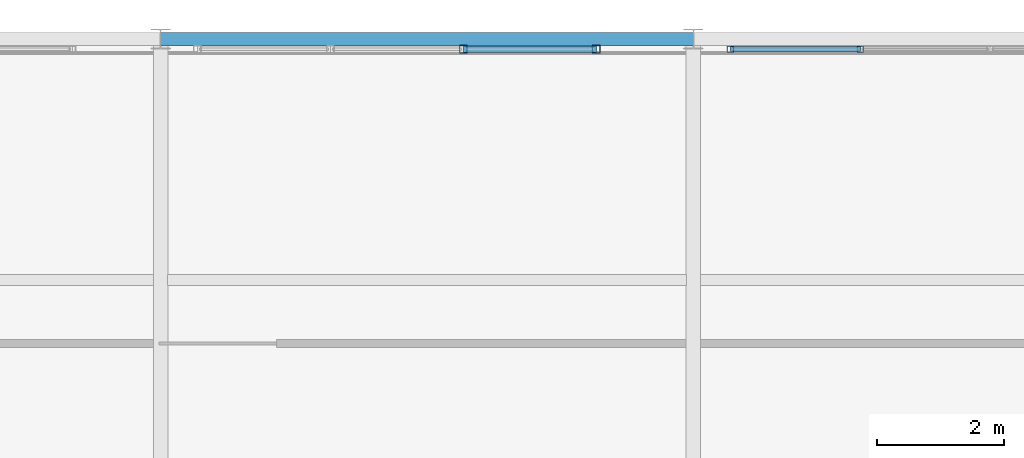
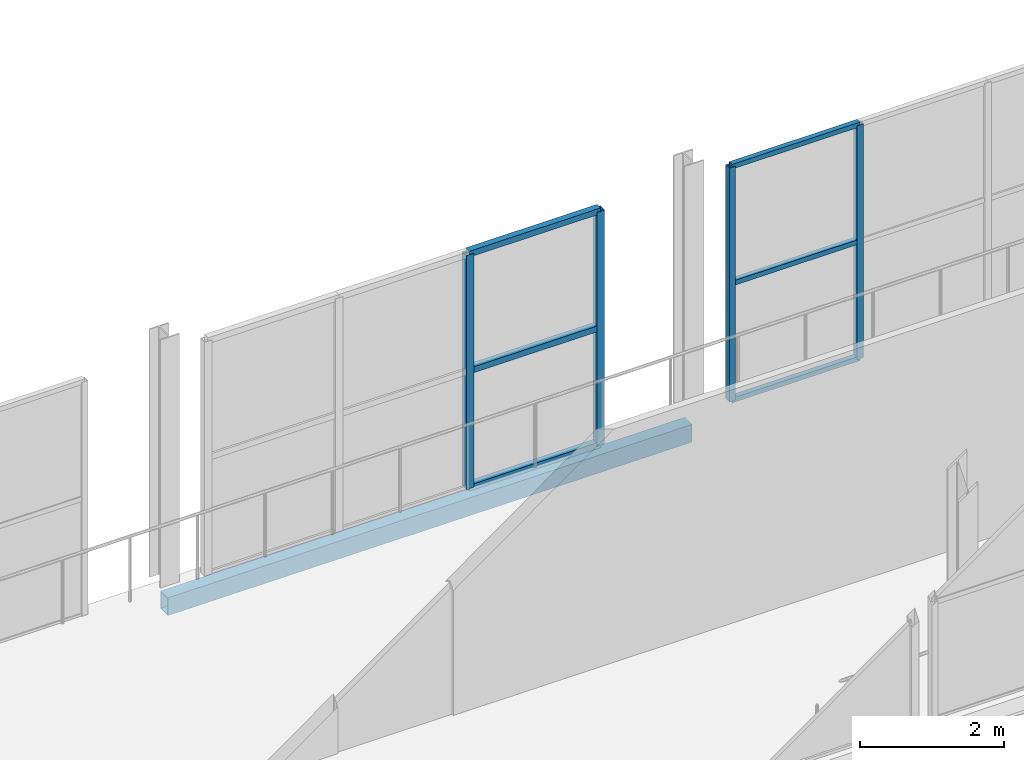
# One storey, part 81 of 151: 10 members, 1 beam, 2 elements without a shape of their own.
"""IFC4 building model written with IfcOpenShell, lengths in metres."""

from ifc_helpers import new_model, si_unit, direction, frame, origin, origin_2d, place, context, subcontext, project, spatial, hollow_rectangle, extrude, material, material_profile, profile_set, type_object, element, aggregate, save


model = new_model("IFC4")

# Units and contexts
model_context = context("Model", 3, precision=1e-05, world=origin(), true_north=direction((0.0, 1.0)))
body_context = subcontext(model_context, "Body", "Model", "MODEL_VIEW")
ifc_project = project(units=[si_unit("LENGTHUNIT", "METRE"), si_unit("AREAUNIT", "SQUARE_METRE"), si_unit("VOLUMEUNIT", "CUBIC_METRE"), si_unit("PLANEANGLEUNIT", "RADIAN"), si_unit("MASSUNIT", "GRAM", prefix="KILO")], contexts=[model_context])

# Site, building, storey
site_placement = place(None, origin())
site = spatial("IfcSite", under=ifc_project, at=site_placement, CompositionType="ELEMENT")
building_placement = place(site_placement, origin())
building = spatial("IfcBuilding", under=site, at=building_placement, Name="Zuvorla Pavilion Media Centre", CompositionType="ELEMENT")
storey_placement = place(building_placement, frame((0.0, 0.0, 13.800048828125)))
storey = spatial("IfcBuildingStorey", under=building, at=storey_placement, Name="L03", CompositionType="ELEMENT", Elevation=13.800048828125)

# Beam
ifc_material_1 = material(Name="Steel S355", Category="steel")
ifc_material_profile_1 = material_profile(ifc_material_1, hollow_rectangle(XDim=0.199951171875, YDim=0.300048828125, WallThickness=0.012451171875, at=origin_2d()), Name="RHS 300x200x12.5")
ifc_profile_set_1 = profile_set([ifc_material_profile_1], Name="Steel S355")
beam_type = type_object("IfcBeamType", Name="BM-SP-RHS300", PredefinedType="SPANDREL", material=ifc_profile_set_1)
beam_placement = place(storey_placement, frame((125.60009765625, 89.60009765625, -0.407958984375), z_axis=(1.0, 0.0, 0.0), x_axis=(0.0, 1.0, 0.0)))
element("IfcBeam", 1, at=beam_placement, inside=storey, type_object=beam_type, Name="L03 spandrel SP01 1143", PredefinedType="SPANDREL", context=body_context, shape_type="SweptSolid", body=[
    extrude(hollow_rectangle(XDim=0.199951171875, YDim=0.300048828125, WallThickness=0.012451171875, at=origin_2d()), origin(), (0.0, 0.0, 1.0), 8.39990234375),
])

# Curtain wall, members
ifc_material_2 = material(Name="Unitised anodised aluminium and solar glass curtain wall", Category="aluminium")
curtain_wall_type_1 = type_object("IfcCurtainWallType", Name="CW-SYS-61", PredefinedType="USERDEFINED", material=ifc_material_2)
curtain_wall_1_placement = place(storey_placement, origin())
curtain_wall_1 = element("IfcCurtainWall", 2, at=curtain_wall_1_placement, inside=storey, type_object=curtain_wall_type_1, Name="L03 curtain wall CW61 108", ObjectType="CURTAIN WALL", PredefinedType="USERDEFINED")
ifc_material_3 = material(Name="Anodised aluminium 6063-T6", Category="aluminium")
ifc_material_profile_2 = material_profile(ifc_material_3, hollow_rectangle(XDim=0.10009765625, YDim=0.10009765625, WallThickness=0.00439453125, at=origin_2d()), Name="ALU MULL 100x100")
ifc_profile_set_2 = profile_set([ifc_material_profile_2], Name="Anodised aluminium 6063-T6")
member_type_1 = type_object("IfcMemberType", Name="CW-MULL-100", PredefinedType="MULLION", material=ifc_profile_set_2)
member_1_placement = place(storey_placement, frame((136.6298828125, 89.43994140625, 0.0), z_axis=(0.0, 0.0, 1.0), x_axis=(1.0, 0.0, 0.0)))
member_1 = element("IfcMember", 3, at=member_1_placement, type_object=member_type_1, Name="CW61 mullion 3", PredefinedType="MULLION", context=body_context, shape_type="SweptSolid", body=[
    extrude(hollow_rectangle(XDim=0.10009765625, YDim=0.10009765625, WallThickness=0.00439453125, at=origin_2d()), origin(), (0.0, 0.0, 1.0), 3.9599609375),
])
member_2_placement = place(storey_placement, frame((134.581787109375, 89.43994140625, 0.0), z_axis=(0.0, 0.0, 1.0), x_axis=(1.0, 0.0, 0.0)))
member_2 = element("IfcMember", 4, at=member_2_placement, type_object=member_type_1, Name="CW61 mullion 4", PredefinedType="MULLION", context=body_context, shape_type="SweptSolid", body=[
    extrude(hollow_rectangle(XDim=0.10009765625, YDim=0.10009765625, WallThickness=0.00439453125, at=origin_2d()), origin(), (0.0, 0.0, 1.0), 3.9599609375),
])

curtain_wall_type_2 = type_object("IfcCurtainWallType", Name="CW-SYS-39", PredefinedType="USERDEFINED", material=ifc_material_2)
curtain_wall_2_placement = place(storey_placement, origin())
curtain_wall_2 = element("IfcCurtainWall", 5, at=curtain_wall_2_placement, inside=storey, type_object=curtain_wall_type_2, Name="L03 curtain wall CW39 109", ObjectType="CURTAIN WALL", PredefinedType="USERDEFINED")
ifc_material_profile_3 = material_profile(ifc_material_3, hollow_rectangle(XDim=0.1201171875, YDim=0.1201171875, WallThickness=0.0048828125, at=origin_2d()), Name="ALU MULL 120x120")
ifc_profile_set_3 = profile_set([ifc_material_profile_3], Name="Anodised aluminium 6063-T6")
member_type_2 = type_object("IfcMemberType", Name="CW-MULL-120", PredefinedType="MULLION", material=ifc_profile_set_3)
member_3_placement = place(storey_placement, frame((132.468505859375, 89.43994140625, 0.0), z_axis=(0.0, 0.0, 1.0), x_axis=(1.0, 0.0, 0.0)))
member_3 = element("IfcMember", 6, at=member_3_placement, type_object=member_type_2, Name="CW39 mullion 1", PredefinedType="MULLION", context=body_context, shape_type="SweptSolid", body=[
    extrude(hollow_rectangle(XDim=0.1201171875, YDim=0.1201171875, WallThickness=0.0048828125, at=origin_2d()), origin(), (0.0, 0.0, 1.0), 3.9599609375),
])
member_4_placement = place(storey_placement, frame((130.373046875, 89.43994140625, 0.0), z_axis=(0.0, 0.0, 1.0), x_axis=(1.0, 0.0, 0.0)))
member_4 = element("IfcMember", 7, at=member_4_placement, type_object=member_type_2, Name="CW39 mullion 2", PredefinedType="MULLION", context=body_context, shape_type="SweptSolid", body=[
    extrude(hollow_rectangle(XDim=0.1201171875, YDim=0.1201171875, WallThickness=0.0048828125, at=origin_2d()), origin(), (0.0, 0.0, 1.0), 3.9599609375),
])
ifc_material_profile_4 = material_profile(ifc_material_3, hollow_rectangle(XDim=0.10009765625, YDim=0.10009765625, WallThickness=0.00439453125, at=origin_2d()), Name="ALU TRAN 100x100")
ifc_profile_set_4 = profile_set([ifc_material_profile_4], Name="Anodised aluminium 6063-T6")
member_type_3 = type_object("IfcMemberType", Name="CW-TRAN-100", PredefinedType="USERDEFINED", material=ifc_profile_set_4)
member_5_placement = place(storey_placement, frame((132.468505859375, 89.43994140625, 0.0), z_axis=(-1.0, 0.0, 0.0), x_axis=(0.0, -1.0, 0.0)))
member_5 = element("IfcMember", 8, at=member_5_placement, type_object=member_type_3, Name="CW39 transom 1.1", ObjectType="TRANSOM", PredefinedType="USERDEFINED", context=body_context, shape_type="SweptSolid", body=[
    extrude(hollow_rectangle(XDim=0.10009765625, YDim=0.10009765625, WallThickness=0.00439453125, at=origin_2d()), origin(), (0.0, 0.0, 1.0), 2.095458984375),
])
member_6_placement = place(storey_placement, frame((132.468505859375, 89.43994140625, 1.97998046875), z_axis=(-1.0, 0.0, 0.0), x_axis=(0.0, -1.0, 0.0)))
member_6 = element("IfcMember", 9, at=member_6_placement, type_object=member_type_3, Name="CW39 transom 1.2", ObjectType="TRANSOM", PredefinedType="USERDEFINED", context=body_context, shape_type="SweptSolid", body=[
    extrude(hollow_rectangle(XDim=0.10009765625, YDim=0.10009765625, WallThickness=0.00439453125, at=origin_2d()), origin(), (0.0, 0.0, 1.0), 2.095458984375),
])
member_7_placement = place(storey_placement, frame((132.468505859375, 89.43994140625, 3.9599609375), z_axis=(-1.0, 0.0, 0.0), x_axis=(0.0, -1.0, 0.0)))
member_7 = element("IfcMember", 10, at=member_7_placement, type_object=member_type_3, Name="CW39 transom 1.3", ObjectType="TRANSOM", PredefinedType="USERDEFINED", context=body_context, shape_type="SweptSolid", body=[
    extrude(hollow_rectangle(XDim=0.10009765625, YDim=0.10009765625, WallThickness=0.00439453125, at=origin_2d()), origin(), (0.0, 0.0, 1.0), 2.095458984375),
])
aggregate(curtain_wall_2, [member_3, member_4, member_5, member_6, member_7])

# Member
ifc_material_profile_5 = material_profile(ifc_material_3, hollow_rectangle(XDim=0.080078125, YDim=0.080078125, WallThickness=0.00390625, at=origin_2d()), Name="ALU TRAN 80x80")
ifc_profile_set_5 = profile_set([ifc_material_profile_5], Name="Anodised aluminium 6063-T6")
member_type_4 = type_object("IfcMemberType", Name="CW-TRAN-80", PredefinedType="USERDEFINED", material=ifc_profile_set_5)
member_8_placement = place(storey_placement, frame((136.6298828125, 89.43994140625, 0.0), z_axis=(-1.0, 0.0, 0.0), x_axis=(0.0, -1.0, 0.0)))
member_8 = element("IfcMember", 11, at=member_8_placement, type_object=member_type_4, Name="CW61 transom 3.1", ObjectType="TRANSOM", PredefinedType="USERDEFINED", context=body_context, shape_type="SweptSolid", body=[
    extrude(hollow_rectangle(XDim=0.080078125, YDim=0.080078125, WallThickness=0.00390625, at=origin_2d()), origin(), (0.0, 0.0, 1.0), 2.048095703125),
])

member_9_placement = place(storey_placement, frame((136.6298828125, 89.43994140625, 1.97998046875), z_axis=(-1.0, 0.0, 0.0), x_axis=(0.0, -1.0, 0.0)))
member_9 = element("IfcMember", 12, at=member_9_placement, type_object=member_type_4, Name="CW61 transom 3.2", ObjectType="TRANSOM", PredefinedType="USERDEFINED", context=body_context, shape_type="SweptSolid", body=[
    extrude(hollow_rectangle(XDim=0.080078125, YDim=0.080078125, WallThickness=0.00390625, at=origin_2d()), origin(), (0.0, 0.0, 1.0), 2.048095703125),
])

member_10_placement = place(storey_placement, frame((136.6298828125, 89.43994140625, 3.9599609375), z_axis=(-1.0, 0.0, 0.0), x_axis=(0.0, -1.0, 0.0)))
member_10 = element("IfcMember", 13, at=member_10_placement, type_object=member_type_4, Name="CW61 transom 3.3", ObjectType="TRANSOM", PredefinedType="USERDEFINED", context=body_context, shape_type="SweptSolid", body=[
    extrude(hollow_rectangle(XDim=0.080078125, YDim=0.080078125, WallThickness=0.00390625, at=origin_2d()), origin(), (0.0, 0.0, 1.0), 2.048095703125),
])

aggregate(curtain_wall_1, [member_1, member_2, member_8, member_9, member_10])

save(model, "model.ifc")
